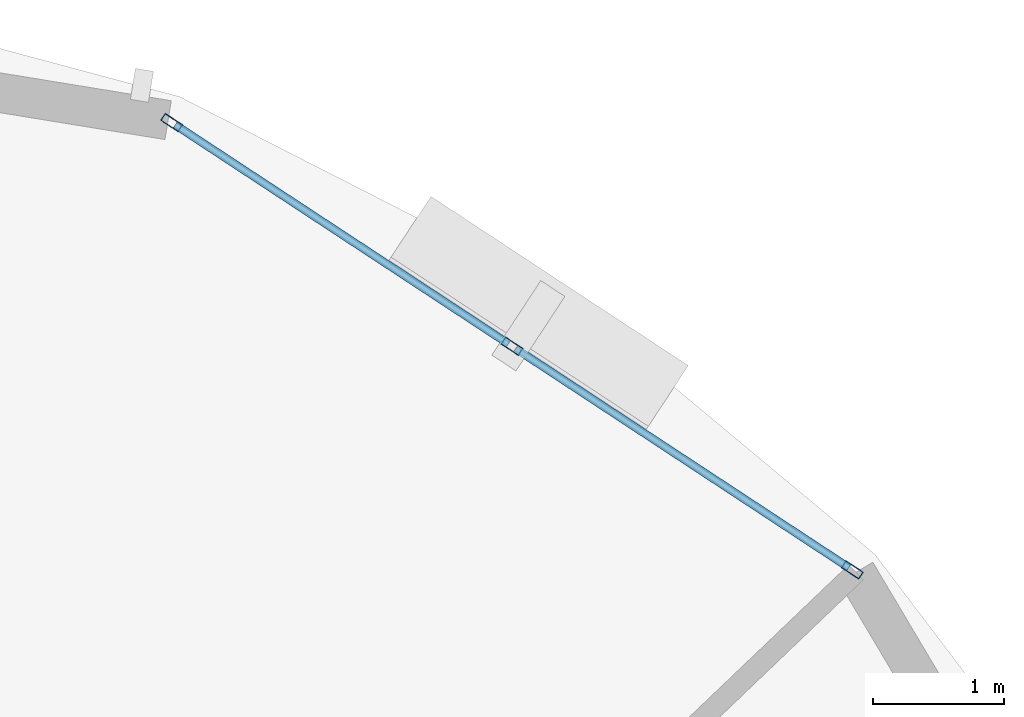
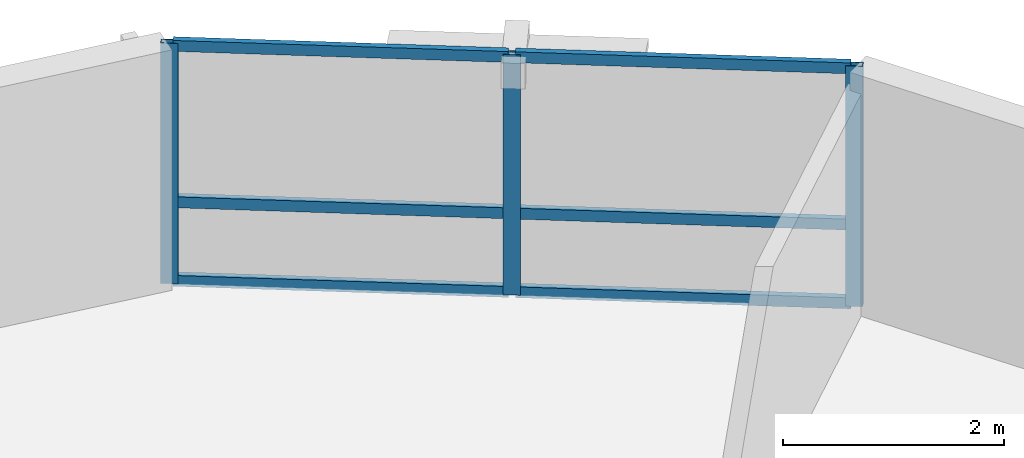
# One storey, part 6 of 12: 9 members, 1 element without a shape of its own.
"""IFC4 building model written with IfcOpenShell, lengths in metres."""

from ifc_helpers import new_model, si_unit, direction, frame, origin, origin_2d, place, context, subcontext, project, spatial, hollow_rectangle, extrude, material, layer, layer_set, material_profile, profile_set, type_object, element, aggregate, save


model = new_model("IFC4")

# Units and contexts
model_context = context("Model", 3, precision=1e-05, world=origin(), true_north=direction((0.0, 1.0)))
body_context = subcontext(model_context, "Body", "Model", "MODEL_VIEW")
ifc_project = project(units=[si_unit("LENGTHUNIT", "METRE"), si_unit("AREAUNIT", "SQUARE_METRE"), si_unit("VOLUMEUNIT", "CUBIC_METRE"), si_unit("PLANEANGLEUNIT", "RADIAN"), si_unit("MASSUNIT", "GRAM", prefix="KILO"), si_unit("THERMODYNAMICTEMPERATUREUNIT", "KELVIN"), si_unit("POWERUNIT", "WATT")], contexts=[model_context])

# Site, building, storey
site_placement = place(None, origin())
site = spatial("IfcSite", under=ifc_project, at=site_placement, CompositionType="ELEMENT")
building_placement = place(site_placement, origin())
building = spatial("IfcBuilding", under=site, at=building_placement, Name="Ocrelia Relay Tower", CompositionType="ELEMENT")
storey_placement = place(building_placement, frame((0.0, 0.0, 213.199951171875)))
storey = spatial("IfcBuildingStorey", under=building, at=storey_placement, Name="L52", CompositionType="ELEMENT", Elevation=213.199951171875)

# Curtain wall, members
ifc_material_1 = material(Name="Aluminium and solar-control low-E glass", Category="aluminium")
ifc_layer = layer(ifc_material_1, 0.179931640625, Name="Aluminium and solar-control low-E glass")
ifc_layer_set = layer_set([ifc_layer], Name="Aluminium and solar-control low-E glass")
curtain_wall_type = type_object("IfcCurtainWallType", Name="CW-SYS-Z3-CLOU", PredefinedType="NOTDEFINED", material=ifc_layer_set)
curtain_wall_placement = place(storey_placement, origin())
curtain_wall = element("IfcCurtainWall", 1, at=curtain_wall_placement, inside=storey, type_object=curtain_wall_type, Name="L52 Elliptical Tower Curtain Wall Bay 01", PredefinedType="NOTDEFINED")
ifc_material_2 = material(Name="Anodised bronze aluminium", Category="aluminium")
ifc_material_profile_1 = material_profile(ifc_material_2, hollow_rectangle(XDim=0.06494140625, YDim=0.159912109375, WallThickness=0.0048828125, at=origin_2d()), Name="CW-MUL-160x65")
ifc_profile_set_1 = profile_set([ifc_material_profile_1], Name="Anodised bronze aluminium")
member_type_1 = type_object("IfcMemberType", Name="CW-SYS-Z3-CLOU-MUL", PredefinedType="MULLION", material=ifc_profile_set_1)
member_1_placement = place(storey_placement, frame((50.89013671875, 42.1845703125, 0.0), z_axis=(0.0, 0.0, 1.0), x_axis=(-0.549318579608, -0.835613007377, 0.0)))
member_1 = element("IfcMember", 2, at=member_1_placement, type_object=member_type_1, Name="CW-Z3 mullion 1", PredefinedType="MULLION", context=body_context, shape_type="SweptSolid", body=[
    extrude(hollow_rectangle(XDim=0.06494140625, YDim=0.159912109375, WallThickness=0.0048828125, at=origin_2d()), origin(), (0.0, 0.0, 1.0), 2.66015625),
])
member_2_placement = place(storey_placement, frame((48.29248046875, 43.89208984375, 0.0), z_axis=(0.0, 0.0, 1.0), x_axis=(-0.549318579608, -0.835613007377, 0.0)))
member_2 = element("IfcMember", 3, at=member_2_placement, type_object=member_type_1, Name="CW-Z3 mullion 2", PredefinedType="MULLION", context=body_context, shape_type="SweptSolid", body=[
    extrude(hollow_rectangle(XDim=0.06494140625, YDim=0.159912109375, WallThickness=0.0048828125, at=origin_2d()), origin(), (0.0, 0.0, 1.0), 2.66015625),
])
member_3_placement = place(storey_placement, frame((45.694580078125, 45.599853515625, 0.0), z_axis=(0.0, 0.0, 1.0), x_axis=(-0.549318579608, -0.835613007377, 0.0)))
member_3 = element("IfcMember", 4, at=member_3_placement, type_object=member_type_1, Name="CW-Z3 mullion 3", PredefinedType="MULLION", context=body_context, shape_type="SweptSolid", body=[
    extrude(hollow_rectangle(XDim=0.06494140625, YDim=0.159912109375, WallThickness=0.0048828125, at=origin_2d()), origin(), (0.0, 0.0, 1.0), 2.66015625),
])
ifc_material_profile_2 = material_profile(ifc_material_2, hollow_rectangle(XDim=0.06005859375, YDim=0.1201171875, WallThickness=0.0048828125, at=origin_2d()), Name="CW-TRN-120x60")
ifc_profile_set_2 = profile_set([ifc_material_profile_2], Name="Anodised bronze aluminium")
member_type_2 = type_object("IfcMemberType", Name="CW-SYS-Z3-CLOU-TRN", PredefinedType="USERDEFINED", material=ifc_profile_set_2)
member_4_placement = place(storey_placement, frame((50.863037109375, 42.202392578125, 0.030029296875), z_axis=(-0.835636054561, 0.549283519066, 0.0), x_axis=(-0.549283519066, -0.835636054561, 0.0)))
member_4 = element("IfcMember", 5, at=member_4_placement, type_object=member_type_2, Name="CW-Z3 transom 1.1", ObjectType="TRANSOM", PredefinedType="USERDEFINED", context=body_context, shape_type="SweptSolid", body=[
    extrude(hollow_rectangle(XDim=0.06005859375, YDim=0.1201171875, WallThickness=0.0048828125, at=origin_2d()), origin(), (0.0, 0.0, 1.0), 3.043701171875),
])
member_5_placement = place(storey_placement, frame((50.863037109375, 42.202392578125, 0.900146484375), z_axis=(-0.835636054561, 0.549283519066, 0.0), x_axis=(-0.549283519066, -0.835636054561, 0.0)))
member_5 = element("IfcMember", 6, at=member_5_placement, type_object=member_type_2, Name="CW-Z3 transom 1.2", ObjectType="TRANSOM", PredefinedType="USERDEFINED", context=body_context, shape_type="SweptSolid", body=[
    extrude(hollow_rectangle(XDim=0.06005859375, YDim=0.1201171875, WallThickness=0.0048828125, at=origin_2d()), origin(), (0.0, 0.0, 1.0), 3.043701171875),
])
member_6_placement = place(storey_placement, frame((50.863037109375, 42.202392578125, 2.630126953125), z_axis=(-0.835636054561, 0.549283519066, 0.0), x_axis=(-0.549283519066, -0.835636054561, 0.0)))
member_6 = element("IfcMember", 7, at=member_6_placement, type_object=member_type_2, Name="CW-Z3 transom 1.3", ObjectType="TRANSOM", PredefinedType="USERDEFINED", context=body_context, shape_type="SweptSolid", body=[
    extrude(hollow_rectangle(XDim=0.06005859375, YDim=0.1201171875, WallThickness=0.0048828125, at=origin_2d()), origin(), (0.0, 0.0, 1.0), 3.043701171875),
])
member_7_placement = place(storey_placement, frame((48.265380859375, 43.91015625, 0.030029296875), z_axis=(-0.835636054561, 0.549283519066, 0.0), x_axis=(-0.549283519066, -0.835636054561, 0.0)))
member_7 = element("IfcMember", 8, at=member_7_placement, type_object=member_type_2, Name="CW-Z3 transom 2.1", ObjectType="TRANSOM", PredefinedType="USERDEFINED", context=body_context, shape_type="SweptSolid", body=[
    extrude(hollow_rectangle(XDim=0.06005859375, YDim=0.1201171875, WallThickness=0.0048828125, at=origin_2d()), origin(), (0.0, 0.0, 1.0), 3.043701171875),
])
member_8_placement = place(storey_placement, frame((48.265380859375, 43.91015625, 0.900146484375), z_axis=(-0.835636054561, 0.549283519066, 0.0), x_axis=(-0.549283519066, -0.835636054561, 0.0)))
member_8 = element("IfcMember", 9, at=member_8_placement, type_object=member_type_2, Name="CW-Z3 transom 2.2", ObjectType="TRANSOM", PredefinedType="USERDEFINED", context=body_context, shape_type="SweptSolid", body=[
    extrude(hollow_rectangle(XDim=0.06005859375, YDim=0.1201171875, WallThickness=0.0048828125, at=origin_2d()), origin(), (0.0, 0.0, 1.0), 3.043701171875),
])
member_9_placement = place(storey_placement, frame((48.265380859375, 43.91015625, 2.630126953125), z_axis=(-0.835636054561, 0.549283519066, 0.0), x_axis=(-0.549283519066, -0.835636054561, 0.0)))
member_9 = element("IfcMember", 10, at=member_9_placement, type_object=member_type_2, Name="CW-Z3 transom 2.3", ObjectType="TRANSOM", PredefinedType="USERDEFINED", context=body_context, shape_type="SweptSolid", body=[
    extrude(hollow_rectangle(XDim=0.06005859375, YDim=0.1201171875, WallThickness=0.0048828125, at=origin_2d()), origin(), (0.0, 0.0, 1.0), 3.043701171875),
])
aggregate(curtain_wall, [member_1, member_2, member_3, member_4, member_5, member_6, member_7, member_8, member_9])

save(model, "model.ifc")
